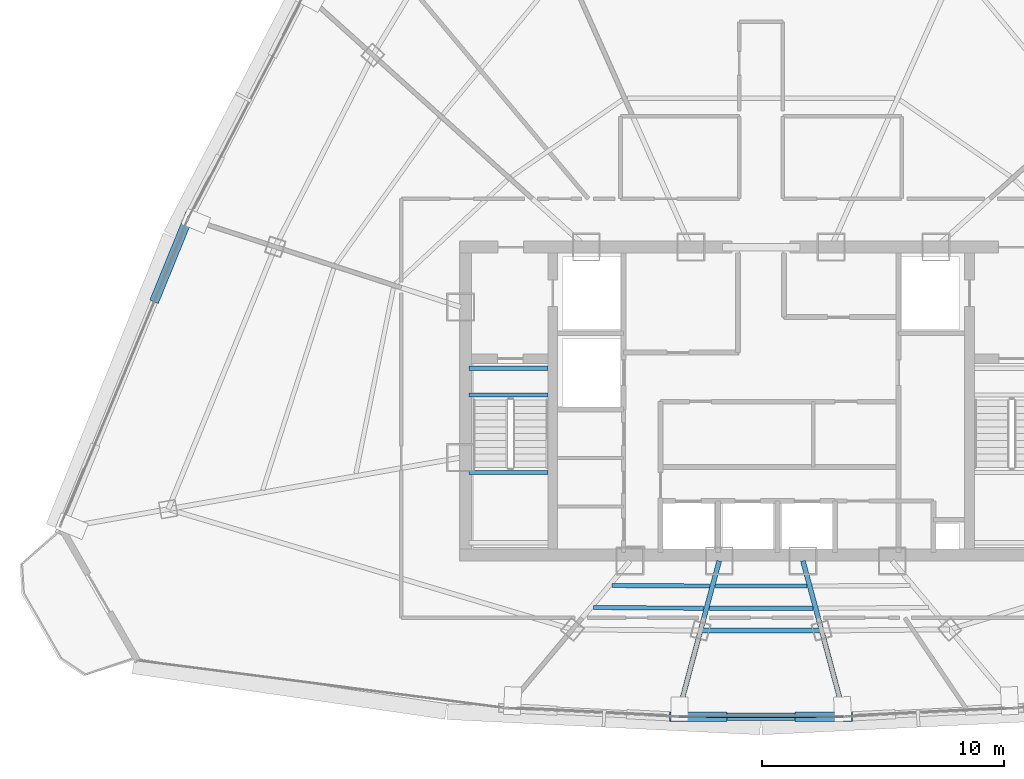
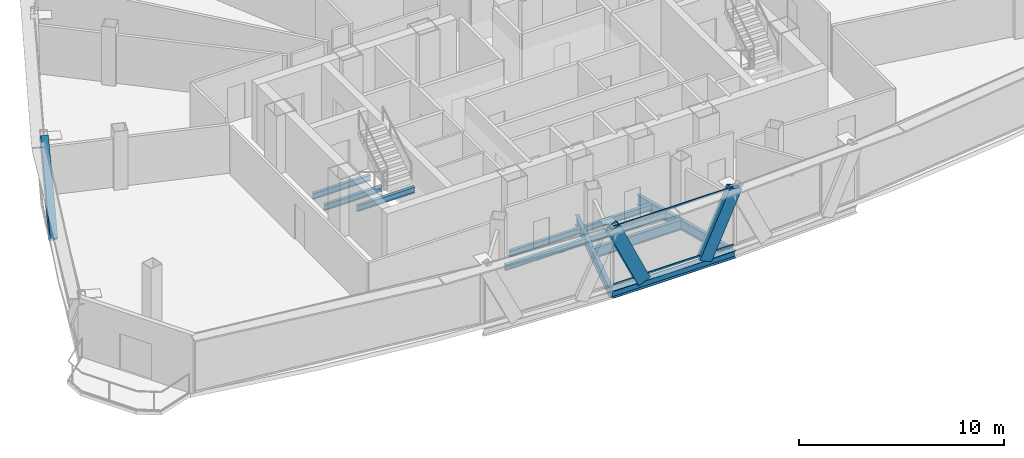
# One storey, part 7 of 34: 11 beams, 5 members, 1 element without a shape of its own.
"""IFC4 building model written with IfcOpenShell, lengths in metres."""

from ifc_helpers import new_model, si_unit, direction, frame, origin, origin_2d, place, context, subcontext, project, spatial, hollow_rectangle, i_section, extrude, source, transform, mapped, material, layer, layer_set, material_profile, profile_set, type_object, element, aggregate, save


model = new_model("IFC4")

# Units and contexts
model_context = context("Model", 3, precision=1e-05, world=origin(), true_north=direction((0.0, 1.0)))
body_context = subcontext(model_context, "Body", "Model", "MODEL_VIEW")
ifc_project = project(units=[si_unit("LENGTHUNIT", "METRE"), si_unit("AREAUNIT", "SQUARE_METRE"), si_unit("VOLUMEUNIT", "CUBIC_METRE"), si_unit("PLANEANGLEUNIT", "RADIAN"), si_unit("MASSUNIT", "GRAM", prefix="KILO"), si_unit("THERMODYNAMICTEMPERATUREUNIT", "KELVIN"), si_unit("POWERUNIT", "WATT")], contexts=[model_context])

# Site, building, storey
site_placement = place(None, origin())
site = spatial("IfcSite", under=ifc_project, at=site_placement, CompositionType="ELEMENT")
building_placement = place(site_placement, origin())
building = spatial("IfcBuilding", under=site, at=building_placement, Name="Yunzhuo Pagoda Commons", CompositionType="ELEMENT")
storey_placement = place(building_placement, frame((0.0, 0.0, 333.010009765625)))
storey = spatial("IfcBuildingStorey", under=building, at=storey_placement, Name="L83", CompositionType="ELEMENT", Elevation=333.010009765625)

# Beams
ifc_material_1 = material(Name="Structural steel Q355B", Category="steel")
ifc_material_profile_1 = material_profile(ifc_material_1, i_section(OverallWidth=0.175048828125, OverallDepth=0.35009765625, WebThickness=0.007080078125, FlangeThickness=0.010986328125, at=origin_2d()), Name="Structural steel Q355B")
ifc_profile_set_1 = profile_set([ifc_material_profile_1], Name="Structural steel Q355B")
beam_type_1 = type_object("IfcBeamType", Name="B-JS2 Joist HN 350x175x7x11", PredefinedType="JOIST", material=ifc_profile_set_1)
shared_shape_1 = source(origin(), body_context, "Body", "SweptSolid", [
    extrude(i_section(OverallWidth=0.175048828125, OverallDepth=0.35009765625, WebThickness=0.007080078125, FlangeThickness=0.010986328125, at=origin_2d()), origin(), (0.0, 0.0, 1.0), 3.25),
])
for number, where, z_axis, x_axis, name in (
    (1, (35.949951171875, 30.89990234375, 1.5), (1.0, 0.0, 0.0), (0.0, 1.0, 0.0), "L83 ST1 landing support beam 89B"),
    (2, (35.949951171875, 34.10009765625, -0.375), (1.0, 0.0, 0.0), (0.0, 1.0, 0.0), "L83 ST1 landing support beam 187A"),
    (3, (35.949951171875, 35.199951171875, -0.375), (1.0, 0.0, 0.0), (0.0, 1.0, 0.0), "L83 ST1 landing support beam 187B"),
):
    element("IfcBeam", number, at=place(storey_placement, frame(where, z_axis=z_axis, x_axis=x_axis)), inside=storey, type_object=beam_type_1, Name=name, PredefinedType="JOIST", context=body_context, shape_type="MappedRepresentation", body=[
        mapped(shared_shape_1, transform((0.0, 0.0, 0.0), scale=1.0)),
    ])
ifc_material_profile_2 = material_profile(ifc_material_1, i_section(OverallWidth=0.300048828125, OverallDepth=0.43994140625, WebThickness=0.010986328125, FlangeThickness=0.01806640625, at=origin_2d()), Name="Structural steel Q355B")
ifc_profile_set_2 = profile_set([ifc_material_profile_2], Name="Structural steel Q355B")
beam_type_2 = type_object("IfcBeamType", Name="B-SP2 Beam HM 440x300x11x18", PredefinedType="BEAM", material=ifc_profile_set_2)
shared_shape_2 = source(origin(), body_context, "Body", "SweptSolid", [
    extrude(i_section(OverallWidth=0.300048828125, OverallDepth=0.43994140625, WebThickness=0.010986328125, FlangeThickness=0.01806640625, at=origin_2d()), origin(), (0.0, 0.0, 1.0), 6.90380859375),
])
beam_1_placement = place(storey_placement, frame((44.548095703125, 20.817138671875, -0.47998046875), z_axis=(1.0, 0.0, 0.0), x_axis=(0.0, 1.0, 0.0)))
element("IfcBeam", 4, at=beam_1_placement, inside=storey, type_object=beam_type_2, Name="L83 facade edge spandrel beam F1.2", PredefinedType="BEAM", context=body_context, shape_type="MappedRepresentation", body=[
    mapped(shared_shape_2, transform((0.0, 0.0, 0.0), scale=1.0)),
])
ifc_material_profile_3 = material_profile(ifc_material_1, i_section(OverallWidth=0.199951171875, OverallDepth=0.60009765625, WebThickness=0.010986328125, FlangeThickness=0.01708984375, at=origin_2d()), Name="Structural steel Q355B")
ifc_profile_set_3 = profile_set([ifc_material_profile_3], Name="Structural steel Q355B")
beam_type_3 = type_object("IfcBeamType", Name="B-RG3 Beam HN 600x200x11x17", PredefinedType="BEAM", material=ifc_profile_set_3)
shared_shape_3 = source(origin(), body_context, "Body", "SweptSolid", [
    extrude(i_section(OverallWidth=0.199951171875, OverallDepth=0.60009765625, WebThickness=0.010986328125, FlangeThickness=0.01708984375, at=origin_2d()), origin(), (0.0, 0.0, 1.0), 4.99853515625),
])
beam_2_placement = place(storey_placement, frame((45.500732421875, 24.372802734375, -0.56005859375), z_axis=(1.0, 0.0, 0.0), x_axis=(0.0, 1.0, 0.0)))
element("IfcBeam", 5, at=beam_2_placement, inside=storey, type_object=beam_type_3, Name="L83 column-ring beam 2", PredefinedType="BEAM", context=body_context, shape_type="MappedRepresentation", body=[
    mapped(shared_shape_3, transform((0.0, 0.0, 0.0), scale=1.0)),
])
shared_shape_4 = source(origin(), body_context, "Body", "SweptSolid", [
    extrude(i_section(OverallWidth=0.199951171875, OverallDepth=0.60009765625, WebThickness=0.010986328125, FlangeThickness=0.01708984375, at=origin_2d()), origin(), (0.0, 0.0, 1.0), 6.5048828125),
])
for number, where, z_axis, x_axis, name in (
    (6, (44.588134765625, 20.966796875, -0.56005859375), (0.258856148938, 0.965915883583, 0.0), (-0.965915883583, 0.258856148938, 0.0), "L83 radial floor girder F1C2"),
    (7, (51.411865234375, 20.966796875, -0.56005859375), (-0.258786113229, 0.965934649756, 0.0), (-0.965934649756, -0.258786113229, 0.0), "L83 radial floor girder F1C3"),
):
    element("IfcBeam", number, at=place(storey_placement, frame(where, z_axis=z_axis, x_axis=x_axis)), inside=storey, type_object=beam_type_3, Name=name, PredefinedType="BEAM", context=body_context, shape_type="MappedRepresentation", body=[
        mapped(shared_shape_4, transform((0.0, 0.0, 0.0), scale=1.0)),
    ])
shared_shape_5 = source(origin(), body_context, "Body", "SweptSolid", [
    extrude(i_section(OverallWidth=0.175048828125, OverallDepth=0.35009765625, WebThickness=0.007080078125, FlangeThickness=0.010986328125, at=origin_2d()), origin(), (0.0, 0.0, 1.0), 4.03076171875),
])
beam_3_placement = place(storey_placement, frame((41.848388671875, 26.231201171875, -0.43505859375), z_axis=(0.999991518197, -0.004118680996, 0.0), x_axis=(0.004118680996, 0.999991518197, 0.0)))
element("IfcBeam", 8, at=beam_3_placement, inside=storey, type_object=beam_type_1, Name="L83 composite ring joist 1.1", PredefinedType="JOIST", context=body_context, shape_type="MappedRepresentation", body=[
    mapped(shared_shape_5, transform((0.0, 0.0, 0.0), scale=1.0)),
])
shared_shape_6 = source(origin(), body_context, "Body", "SweptSolid", [
    extrude(i_section(OverallWidth=0.175048828125, OverallDepth=0.35009765625, WebThickness=0.007080078125, FlangeThickness=0.010986328125, at=origin_2d()), origin(), (0.0, 0.0, 1.0), 4.54345703125),
])
beam_4_placement = place(storey_placement, frame((41.089111328125, 25.325927734375, -0.43505859375), z_axis=(0.999975976237, -0.006931590593, 0.0), x_axis=(0.006931590593, 0.999975976237, 0.0)))
element("IfcBeam", 9, at=beam_4_placement, inside=storey, type_object=beam_type_1, Name="L83 composite ring joist 2.1", PredefinedType="JOIST", context=body_context, shape_type="MappedRepresentation", body=[
    mapped(shared_shape_6, transform((0.0, 0.0, 0.0), scale=1.0)),
])
shared_shape_7 = source(origin(), body_context, "Body", "SweptSolid", [
    extrude(i_section(OverallWidth=0.175048828125, OverallDepth=0.35009765625, WebThickness=0.007080078125, FlangeThickness=0.010986328125, at=origin_2d()), origin(), (0.0, 0.0, 1.0), 3.78173828125),
])
beam_5_placement = place(storey_placement, frame((46.109130859375, 26.214111328125, -0.43505859375), z_axis=(1.0, 0.0, 0.0), x_axis=(0.0, 1.0, 0.0)))
element("IfcBeam", 10, at=beam_5_placement, inside=storey, type_object=beam_type_1, Name="L83 composite ring joist 1.2", PredefinedType="JOIST", context=body_context, shape_type="MappedRepresentation", body=[
    mapped(shared_shape_7, transform((0.0, 0.0, 0.0), scale=1.0)),
])
shared_shape_8 = source(origin(), body_context, "Body", "SweptSolid", [
    extrude(i_section(OverallWidth=0.175048828125, OverallDepth=0.35009765625, WebThickness=0.007080078125, FlangeThickness=0.010986328125, at=origin_2d()), origin(), (0.0, 0.0, 1.0), 4.27490234375),
])
beam_6_placement = place(storey_placement, frame((45.862548828125, 25.29345703125, -0.43505859375), z_axis=(1.0, 0.0, 0.0), x_axis=(0.0, 1.0, 0.0)))
element("IfcBeam", 11, at=beam_6_placement, inside=storey, type_object=beam_type_1, Name="L83 composite ring joist 2.2", PredefinedType="JOIST", context=body_context, shape_type="MappedRepresentation", body=[
    mapped(shared_shape_8, transform((0.0, 0.0, 0.0), scale=1.0)),
])

# Members
ifc_material_profile_4 = material_profile(ifc_material_1, hollow_rectangle(XDim=0.3798828125, YDim=0.719970703125, WallThickness=0.02001953125, at=origin_2d()), Name="Structural steel Q355B")
ifc_profile_set_4 = profile_set([ifc_material_profile_4], Name="Structural steel Q355B")
member_type_1 = type_object("IfcMemberType", Name="M-DL3 Brace BOX 720x380x20", PredefinedType="BRACE", material=ifc_profile_set_4)
shared_shape_9 = source(origin(), body_context, "Body", "SweptSolid", [
    extrude(hollow_rectangle(XDim=0.3798828125, YDim=0.719970703125, WallThickness=0.02001953125, at=origin_2d()), origin(), (0.0, 0.0, 1.0), 4.128173828125),
])
for number, where, z_axis, x_axis, name in (
    (12, (46.27392578125, 20.817138671875, -0.260009765625), (-0.41807156465, 0.0, 0.908414094359), (0.0, -1.0, 0.0), "L83 facade diamond brace F1.2L"),
    (13, (49.72607421875, 20.817138671875, -0.260009765625), (0.41807156465, 0.0, 0.908414094359), (0.0, 1.0, 0.0), "L83 facade diamond brace F1.2R"),
):
    element("IfcMember", number, at=place(storey_placement, frame(where, z_axis=z_axis, x_axis=x_axis)), inside=storey, type_object=member_type_1, Name=name, PredefinedType="BRACE", context=body_context, shape_type="MappedRepresentation", body=[
        mapped(shared_shape_9, transform((0.0, 0.0, 0.0), scale=1.0)),
    ])
shared_shape_10 = source(origin(), body_context, "Body", "SweptSolid", [
    extrude(hollow_rectangle(XDim=0.3798828125, YDim=0.719970703125, WallThickness=0.02001953125, at=origin_2d()), origin(), (0.0, 0.0, 1.0), 5.096435546875),
])
member_1_placement = place(storey_placement, frame((23.0419921875, 38.190673828125, -0.260009765625), z_axis=(0.256338790623, 0.626786906468, 0.735818318814), x_axis=(-0.925585264707, 0.378539189196, 0.0)))
element("IfcMember", 14, at=member_1_placement, inside=storey, type_object=member_type_1, Name="L83 facade diamond brace F3.3L", PredefinedType="BRACE", context=body_context, shape_type="MappedRepresentation", body=[
    mapped(shared_shape_10, transform((0.0, 0.0, 0.0), scale=1.0)),
])

# Curtain wall, members
ifc_material_2 = material(Name="Anodized aluminium 6063-T6", Category="aluminium")
ifc_layer = layer(ifc_material_2, 0.139892578125)
ifc_layer_set = layer_set([ifc_layer], Name="Anodized aluminium 6063-T6")
curtain_wall_type = type_object("IfcCurtainWallType", Name="CW-HI High-Zone Ribbon Curtain Wall", PredefinedType="NOTDEFINED", material=ifc_layer_set)
curtain_wall_placement = place(storey_placement, origin())
curtain_wall = element("IfcCurtainWall", 15, at=curtain_wall_placement, inside=storey, type_object=curtain_wall_type, Name="L83 curtain wall CW-L83-F1B3", PredefinedType="NOTDEFINED")
ifc_material_profile_5 = material_profile(ifc_material_2, hollow_rectangle(XDim=0.054931640625, YDim=0.1201171875, WallThickness=0.00341796875, at=origin_2d()), Name="Anodized aluminium 6063-T6")
ifc_profile_set_5 = profile_set([ifc_material_profile_5], Name="Anodized aluminium 6063-T6")
member_type_2 = type_object("IfcMemberType", Name="CW-HI-T Transom RHS 120x55x3.5", PredefinedType="USERDEFINED", material=ifc_profile_set_5)
shared_shape_11 = source(origin(), body_context, "Body", "SweptSolid", [
    extrude(hollow_rectangle(XDim=0.054931640625, YDim=0.1201171875, WallThickness=0.00341796875, at=origin_2d()), origin(), (0.0, 0.0, 1.0), 6.7841796875),
])
member_2_placement = place(storey_placement, frame((44.60791015625, 20.817138671875, 0.027587890625), z_axis=(1.0, 0.0, 0.0), x_axis=(0.0, 1.0, 0.0)))
member_2 = element("IfcMember", 16, at=member_2_placement, type_object=member_type_2, Name="CW transom 1.1", ObjectType="TRANSOM", PredefinedType="USERDEFINED", context=body_context, shape_type="MappedRepresentation", body=[
    mapped(shared_shape_11, transform((0.0, 0.0, 0.0), scale=1.0)),
])
member_3_placement = place(storey_placement, frame((44.60791015625, 20.817138671875, 3.46240234375), z_axis=(1.0, 0.0, 0.0), x_axis=(0.0, 1.0, 0.0)))
member_3 = element("IfcMember", 17, at=member_3_placement, type_object=member_type_2, Name="CW transom 1.2", ObjectType="TRANSOM", PredefinedType="USERDEFINED", context=body_context, shape_type="MappedRepresentation", body=[
    mapped(shared_shape_11, transform((0.0, 0.0, 0.0), scale=1.0)),
])
aggregate(curtain_wall, [member_2, member_3])

save(model, "model.ifc")
